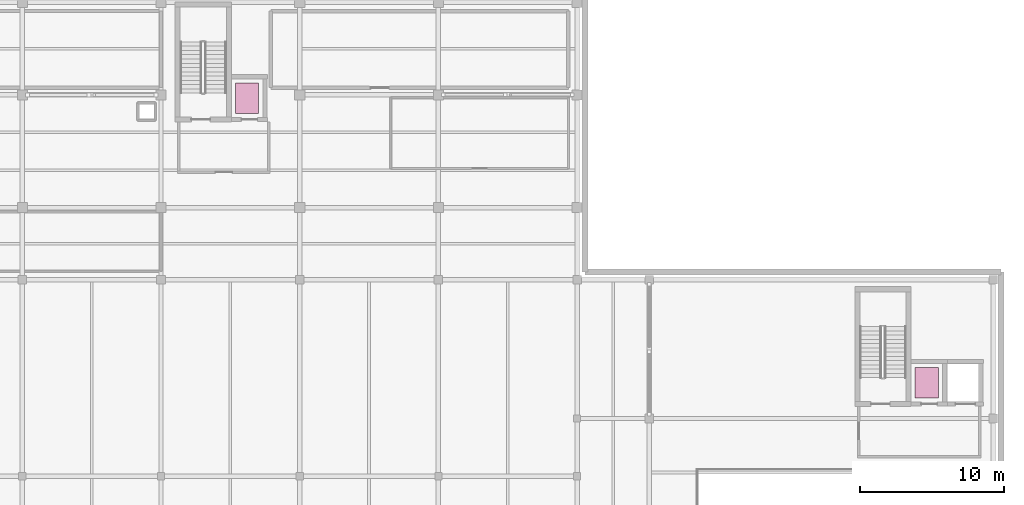
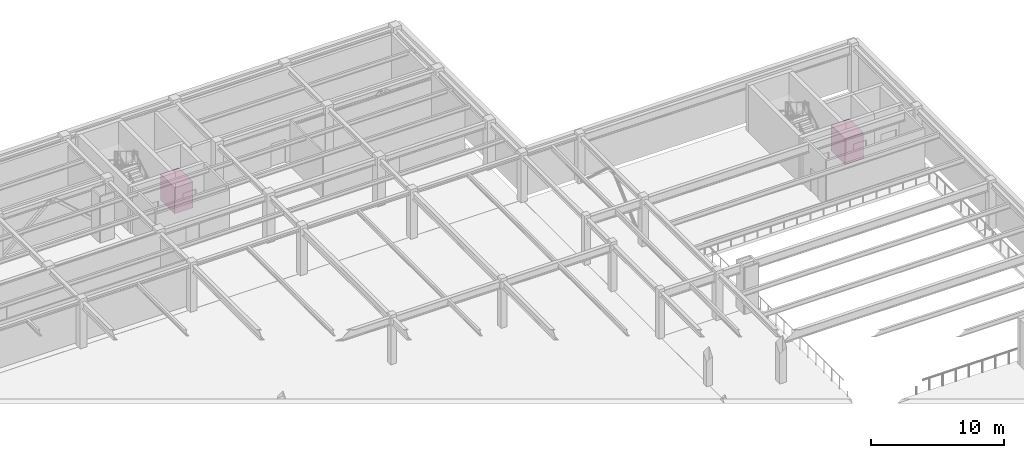
# One storey, part 32 of 32: 2 transport elements.
"""IFC4 building model written with IfcOpenShell, lengths in metres."""

from ifc_helpers import new_model, si_unit, direction, frame, origin, origin_2d, place, context, subcontext, project, spatial, rectangle, extrude, material, type_object, element, save


model = new_model("IFC4")

# Units and contexts
model_context = context("Model", 3, precision=1e-05, world=origin(), true_north=direction((0.0, 1.0)))
body_context = subcontext(model_context, "Body", "Model", "MODEL_VIEW")
ifc_project = project(units=[si_unit("LENGTHUNIT", "METRE"), si_unit("AREAUNIT", "SQUARE_METRE"), si_unit("VOLUMEUNIT", "CUBIC_METRE"), si_unit("PLANEANGLEUNIT", "RADIAN"), si_unit("MASSUNIT", "GRAM", prefix="KILO")], contexts=[model_context])

# Site, building, storey
site_placement = place(None, origin())
site = spatial("IfcSite", under=ifc_project, at=site_placement, CompositionType="ELEMENT")
building_placement = place(site_placement, origin())
building = spatial("IfcBuilding", under=site, at=building_placement, Name="Nordkorset Police Headquarters", CompositionType="ELEMENT")
storey_placement = place(building_placement, frame((0.0, 0.0, -4.550048828125)))
storey = spatial("IfcBuildingStorey", under=building, at=storey_placement, Name="B01", CompositionType="ELEMENT", Elevation=-4.550048828125)

# Transport elements
ifc_material = material(Name="Steel S355J2", Category="steel")
transport_element_type = type_object("IfcTransportElementType", Name="Lift_Passenger_1600kg", PredefinedType="ELEVATOR", material=ifc_material)
for number, where, z_axis, x_axis, name in (
    (1, (63.550048828125, 110.175048828125, 0.0), (0.0, 0.0, 1.0), (1.0, 0.0, 0.0), "Passenger Lift LF-04"),
    (2, (110.60009765625, 90.47509765625, 0.0), (0.0, 0.0, 1.0), (1.0, 0.0, 0.0), "Passenger Lift LF-05"),
):
    element("IfcTransportElement", number, at=place(storey_placement, frame(where, z_axis=z_axis, x_axis=x_axis)), inside=storey, type_object=transport_element_type, Name=name, PredefinedType="ELEVATOR", context=body_context, shape_type="SweptSolid", body=[
        extrude(rectangle(XDim=1.60009765625, YDim=2.10009765625, at=origin_2d()), origin(), (0.0, 0.0, 1.0), 2.39990234375),
    ])

save(model, "model.ifc")
